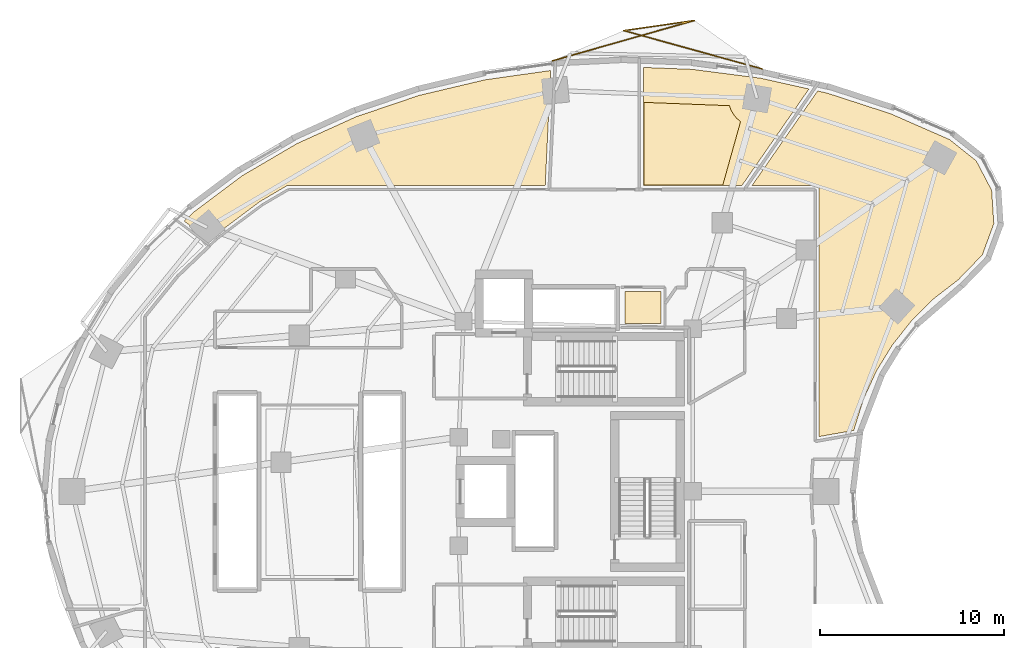
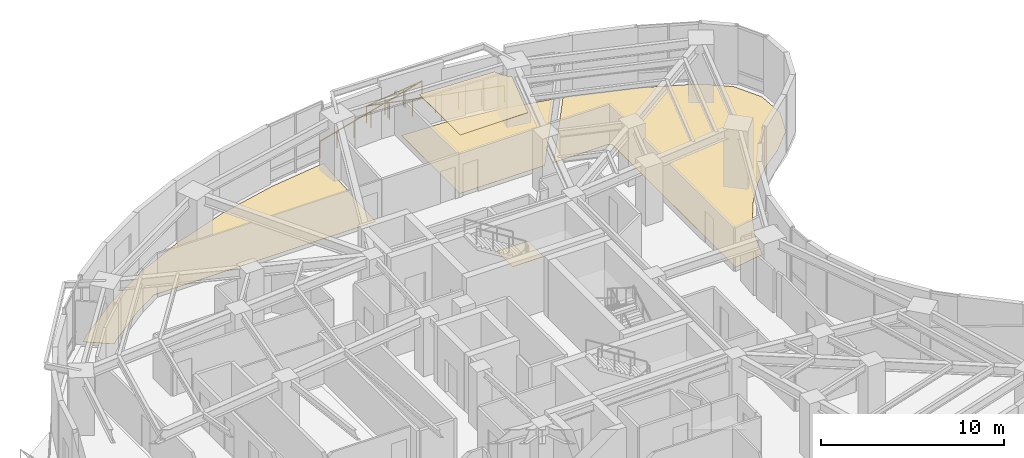
# One storey, part 15 of 15: 5 coverings, 1 railing.
"""IFC4 building model written with IfcOpenShell, lengths in metres."""

import ifcopenshell
import ifcopenshell.guid

model = None  # the IFC model being written
_history = None  # IfcOwnerHistory: only IFC2X3 demands one
_inside = {}  # id of a spatial element -> (the spatial element, [elements in it])
_under = {}  # id of a project, library or spatial element -> (it, [spatial elements below it])
_declared = {}  # id of a project -> (the project, [libraries it declares])
_typed = {}  # id of a type object -> (the type object, [elements of that type])
_made_of = {}  # id of a material, layer set ... -> (it, [elements and type objects made of it])


def new_model(schema):
    """Start an empty IFC model of exactly this schema.

    Asked for "IFC4X3", IfcOpenShell would pick the latest addendum, in which some entities
    have other attributes; the version numbers below select the first issue.
    IFC2X3 requires an IfcOwnerHistory on every rooted entity: one is made here for all.
    """
    global model, _history
    if schema == "IFC4X3":
        model = ifcopenshell.file(schema_version=(4, 3, 0, 0))
    else:
        model = ifcopenshell.file(schema=schema)
    _inside.clear()
    _under.clear()
    _declared.clear()
    _typed.clear()
    _made_of.clear()
    _history = None
    if model.schema == "IFC2X3":
        org = make("IfcOrganization", Name="unknown")
        user = make(
            "IfcPersonAndOrganization",
            ThePerson=make("IfcPerson", FamilyName="unknown"),
            TheOrganization=org,
        )
        app = make(
            "IfcApplication",
            ApplicationDeveloper=org,
            Version="unknown",
            ApplicationFullName="unknown",
            ApplicationIdentifier="unknown",
        )
        _history = make(
            "IfcOwnerHistory",
            OwningUser=user,
            OwningApplication=app,
            ChangeAction="ADDED",
            CreationDate=0,
        )
    return model


def make(cls, **values):
    """One entity of the class cls with the attributes given. An attribute that is None is left unset."""
    return model.create_entity(
        cls, **{name: value for name, value in values.items() if value is not None}
    )


def rooted(cls, **values):
    """An entity with a GlobalId (a new one), such as an element, a storey or a relation."""
    return make(cls, GlobalId=ifcopenshell.guid.new(), OwnerHistory=_history, **values)


def si_unit(unit_type, name, prefix=None):
    """IfcSIUnit, for example si_unit("LENGTHUNIT", "METRE", prefix="MILLI")."""
    return make("IfcSIUnit", UnitType=unit_type, Prefix=prefix, Name=name)


def assignment(units):
    """IfcUnitAssignment: the units of a project."""
    return None if units is None else make("IfcUnitAssignment", Units=units)


def point(xyz):
    """IfcCartesianPoint."""
    return None if xyz is None else make("IfcCartesianPoint", Coordinates=xyz)


def direction(xyz):
    """IfcDirection."""
    return None if xyz is None else make("IfcDirection", DirectionRatios=xyz)


def frame(location, z_axis=None, x_axis=None):
    """IfcAxis2Placement3D, a coordinate frame: its origin and axes. An axis left out is left unset."""
    return make(
        "IfcAxis2Placement3D",
        Location=point(location),
        Axis=direction(z_axis),
        RefDirection=direction(x_axis),
    )


def frame_2d(location, x_axis=None):
    """IfcAxis2Placement2D, a coordinate frame in the plane: its origin and x axis."""
    return make(
        "IfcAxis2Placement2D", Location=point(location), RefDirection=direction(x_axis)
    )


def origin():
    """The frame at (0, 0, 0) with its axes left unset."""
    return frame((0.0, 0.0, 0.0))


def origin_2d():
    """The frame at (0, 0) in the plane with its x axis left unset."""
    return frame_2d((0.0, 0.0))


def place(relative_to, where):
    """IfcLocalPlacement: puts the frame where relative to a parent placement (None: the world)."""
    return make(
        "IfcLocalPlacement", PlacementRelTo=relative_to, RelativePlacement=where
    )


def context(
    kind, dimensions, precision=None, world=None, true_north=None, identifier=None
):
    """IfcGeometricRepresentationContext, for example the 3D "Model" context."""
    return make(
        "IfcGeometricRepresentationContext",
        ContextIdentifier=identifier,
        ContextType=kind,
        CoordinateSpaceDimension=dimensions,
        Precision=precision,
        WorldCoordinateSystem=world,
        TrueNorth=true_north,
    )


def subcontext(parent, identifier, kind, view, scale=None):
    """IfcGeometricRepresentationSubContext, for example "Body" below "Model"."""
    return make(
        "IfcGeometricRepresentationSubContext",
        ContextIdentifier=identifier,
        ContextType=kind,
        ParentContext=parent,
        TargetScale=scale,
        TargetView=view,
    )


def project(units=None, contexts=None):
    """IfcProject with its units and contexts."""
    return rooted(
        "IfcProject",
        Name="project",
        RepresentationContexts=contexts,
        UnitsInContext=assignment(units),
    )


def spatial(cls, under=None, at=None, **own):
    """A site, building, storey or space (cls), placed at a placement, below another one or the project."""
    s = rooted(cls, ObjectPlacement=at, **own)
    if under is not None:
        _under.setdefault(under.id(), (under, []))[1].append(s)
    return s


def polyline(points):
    """IfcPolyline through the points."""
    return make("IfcPolyline", Points=[point(p) for p in points])


def profile(cls, at=None, kind="AREA", **sizes):
    """A parametric profile (cls). Its sizes go by their IFC names, for example OverallWidth=200.0."""
    return make(cls, ProfileType=kind, Position=at, **sizes)


def rectangle(**sizes):
    """IfcRectangleProfileDef."""
    return profile("IfcRectangleProfileDef", **sizes)


def outline(outer, holes=None, kind="AREA"):
    """IfcArbitraryClosedProfileDef: a profile drawn as a closed curve; with holes, ...WithVoids."""
    if holes is None:
        return make("IfcArbitraryClosedProfileDef", ProfileType=kind, OuterCurve=outer)
    return make(
        "IfcArbitraryProfileDefWithVoids",
        ProfileType=kind,
        OuterCurve=outer,
        InnerCurves=holes,
    )


def extrude(swept, where, along, depth):
    """IfcExtrudedAreaSolid: the profile swept, set in the frame where, extruded along a direction by depth."""
    return make(
        "IfcExtrudedAreaSolid",
        SweptArea=swept,
        Position=where,
        ExtrudedDirection=direction(along),
        Depth=depth,
    )


def shape(context_of_items, identifier, shape_type, items):
    """IfcShapeRepresentation: the items that make up one representation, for example the "Body"."""
    return make(
        "IfcShapeRepresentation",
        ContextOfItems=context_of_items,
        RepresentationIdentifier=identifier,
        RepresentationType=shape_type,
        Items=items,
    )


def material(Name=None, Category=None):
    """IfcMaterial."""
    return make("IfcMaterial", Name=Name, Category=Category)


def layer(
    of_material, thickness, ventilated=None, Name=None, Category=None, Priority=None
):
    """IfcMaterialLayer: one layer of a wall or slab, of a material (None: an air gap)."""
    return make(
        "IfcMaterialLayer",
        Material=of_material,
        LayerThickness=thickness,
        IsVentilated=ventilated,
        Name=Name,
        Category=Category,
        Priority=Priority,
    )


def layer_set(layers, Name=None):
    """IfcMaterialLayerSet."""
    return make("IfcMaterialLayerSet", MaterialLayers=layers, LayerSetName=Name)


def made_of(thing, what):
    """Note that an element or type object is made of a material, layer set ...; save() writes the relation."""
    if what is not None:
        _made_of.setdefault(what.id(), (what, []))[1].append(thing)
    return thing


def type_object(cls, material=None, **own):
    """A type object (cls), such as IfcWallType, which elements share."""
    return made_of(rooted(cls, **own), material)


def element(
    cls,
    number,
    at=None,
    inside=None,
    cuts=None,
    type_object=None,
    material=None,
    context=None,
    identifier="Body",
    shape_type=None,
    held_by="IfcProductDefinitionShape",
    body=None,
    shapes=None,
    **own,
):
    """One element of the class cls, such as IfcWall. Its Tag is "e" and its number.

    at: its placement. inside: the storey or other place that contains it. cuts: it is an
    opening in that element (IfcRelVoidsElement). A single representation is given by context,
    identifier, shape_type and body (its items); several are given by shapes. held_by: the class
    of the entity that holds the representations. save() writes the other relations.
    """
    e = rooted(cls, Tag="e%d" % number, ObjectPlacement=at, **own)
    if body is not None:
        shapes = [shape(context, identifier, shape_type, body)]
    if shapes is not None:
        e.Representation = make(held_by, Representations=shapes)
    if inside is not None:
        _inside.setdefault(inside.id(), (inside, []))[1].append(e)
    if cuts is not None:
        rooted(
            "IfcRelVoidsElement", RelatingBuildingElement=cuts, RelatedOpeningElement=e
        )
    if type_object is not None:
        _typed.setdefault(type_object.id(), (type_object, []))[1].append(e)
    return made_of(e, material)


def aggregate(whole, parts):
    """IfcRelAggregates: a whole, such as a stair, and the parts it consists of."""
    return rooted("IfcRelAggregates", RelatingObject=whole, RelatedObjects=parts)


def save(model, path):
    """Write the relations noted so far, then the file.

    IfcRelAggregates (storeys below a building ...), IfcRelContainedInSpatialStructure (elements
    in a storey), IfcRelDefinesByType, IfcRelAssociatesMaterial and IfcRelDeclares: one each for
    every whole, place, type object, material and project.
    """
    for whole, parts in _under.values():
        aggregate(whole, parts)
    for where, things in _inside.values():
        rooted(
            "IfcRelContainedInSpatialStructure",
            RelatedElements=things,
            RelatingStructure=where,
        )
    for kind, things in _typed.values():
        rooted("IfcRelDefinesByType", RelatedObjects=things, RelatingType=kind)
    for what, things in _made_of.values():
        rooted("IfcRelAssociatesMaterial", RelatedObjects=things, RelatingMaterial=what)
    for by, libraries in _declared.values():
        rooted("IfcRelDeclares", RelatingContext=by, RelatedDefinitions=libraries)
    model.write(path)


model = new_model("IFC4")

# Units and contexts
model_context = context("Model", 3, precision=1e-05, world=origin(), true_north=direction((0.0, 1.0)))
body_context = subcontext(model_context, "Body", "Model", "MODEL_VIEW")
ifc_project = project(units=[si_unit("LENGTHUNIT", "METRE"), si_unit("AREAUNIT", "SQUARE_METRE"), si_unit("VOLUMEUNIT", "CUBIC_METRE"), si_unit("PLANEANGLEUNIT", "RADIAN"), si_unit("MASSUNIT", "GRAM", prefix="KILO")], contexts=[model_context])

# Site, building, storey
site_placement = place(None, origin())
site = spatial("IfcSite", under=ifc_project, at=site_placement, CompositionType="ELEMENT")
building_placement = place(site_placement, origin())
building = spatial("IfcBuilding", under=site, at=building_placement, Name="Korentha Bioscience Tower", CompositionType="ELEMENT")
storey_placement = place(building_placement, frame((0.0, 0.0, 42.60009765625)))
storey = spatial("IfcBuildingStorey", under=building, at=storey_placement, Name="L09", CompositionType="ELEMENT", Elevation=42.60009765625)

# Covering
ifc_material_1 = material(Name="Vitrified Porcelain Tile", Category="ceramic")
ifc_layer_1 = layer(ifc_material_1, 0.014892578125, Name="Vitrified Porcelain Tile")
ifc_layer_set_1 = layer_set([ifc_layer_1], Name="Vitrified Porcelain Tile (FL-CER)")
covering_type_1 = type_object("IfcCoveringType", Name="Anti-Slip Ceramic Wet-Room Tile Flooring 15", PredefinedType="FLOORING", material=ifc_layer_set_1)
covering_1_placement = place(storey_placement, origin())
element("IfcCovering", 1, at=covering_1_placement, inside=storey, type_object=covering_type_1, Name="L09 Accessible Staff WC Floor Finish", PredefinedType="FLOORING", context=body_context, shape_type="SweptSolid", body=[
    extrude(outline(polyline([(33.8701171875, 36.1298828125), (33.8701171875, 37.8701171875), (35.830078125, 37.8701171875), (35.830078125, 36.1298828125), (33.8701171875, 36.1298828125)])), origin(), (0.0, 0.0, 1.0), 0.014892578125),
])

# Railing
ifc_material_2 = material(Name="Laminated Tempered Safety Glass", Category="glass")
railing_type = type_object("IfcRailingType", Name="Laminated Glass Balcony Guardrail 1150", PredefinedType="BALUSTRADE", material=ifc_material_2)
railing_placement = place(storey_placement, frame((41.33349609375, 49.9638671875, 0.0)))
element("IfcRailing", 2, at=railing_placement, inside=storey, type_object=railing_type, Name="L09 Balcony Guardrail 01", PredefinedType="BALUSTRADE", context=body_context, shape_type="SweptSolid", body=[
    extrude(rectangle(XDim=0.048095703125, YDim=0.048095703125, at=origin_2d()), frame((0.0, 0.0, 1.1259765625), z_axis=(-0.963705393493, 0.266968002864, 0.0), x_axis=(-0.266968002864, -0.963705393493, 0.0)), (0.0, 0.0, 1.0), 7.80712890625),
    extrude(rectangle(XDim=0.048095703125, YDim=0.048095703125, at=origin_2d()), frame((-7.523681640625, 2.084228515625, 1.1259765625), z_axis=(0.989867578194, 0.141993583099, 0.0), x_axis=(-0.141993583099, 0.989867578194, 0.0)), (0.0, 0.0, 1.0), 3.88232421875),
    extrude(rectangle(XDim=0.048095703125, YDim=0.048095703125, at=origin_2d()), frame((-3.6806640625, 2.635498046875, 1.1259765625), z_axis=(-0.961886221557, -0.27344998954, 0.0), x_axis=(0.27344998954, -0.961886221557, 0.0)), (0.0, 0.0, 1.0), 8.017578125),
    extrude(rectangle(XDim=0.0419921875, YDim=0.0419921875, at=origin_2d()), origin(), (0.0, 0.0, 1.0), 1.101806640625),
    extrude(rectangle(XDim=0.0419921875, YDim=0.0419921875, at=origin_2d()), frame((-1.25390625, 0.347412109375, 0.0)), (0.0, 0.0, 1.0), 1.101806640625),
    extrude(rectangle(XDim=0.0419921875, YDim=0.0419921875, at=origin_2d()), frame((-2.5078125, 0.69482421875, 0.0)), (0.0, 0.0, 1.0), 1.101806640625),
    extrude(rectangle(XDim=0.0419921875, YDim=0.0419921875, at=origin_2d()), frame((-3.76171875, 1.0419921875, 0.0)), (0.0, 0.0, 1.0), 1.101806640625),
    extrude(rectangle(XDim=0.0419921875, YDim=0.0419921875, at=origin_2d()), frame((-5.015869140625, 1.389404296875, 0.0)), (0.0, 0.0, 1.0), 1.101806640625),
    extrude(rectangle(XDim=0.0419921875, YDim=0.0419921875, at=origin_2d()), frame((-6.269775390625, 1.73681640625, 0.0)), (0.0, 0.0, 1.0), 1.101806640625),
    extrude(rectangle(XDim=0.0419921875, YDim=0.0419921875, at=origin_2d()), frame((-7.523681640625, 2.084228515625, 0.0)), (0.0, 0.0, 1.0), 1.101806640625),
    extrude(rectangle(XDim=0.0419921875, YDim=0.0419921875, at=origin_2d()), frame((-6.24267578125, 2.26806640625, 0.0)), (0.0, 0.0, 1.0), 1.101806640625),
    extrude(rectangle(XDim=0.0419921875, YDim=0.0419921875, at=origin_2d()), frame((-4.961669921875, 2.45166015625, 0.0)), (0.0, 0.0, 1.0), 1.101806640625),
    extrude(rectangle(XDim=0.0419921875, YDim=0.0419921875, at=origin_2d()), frame((-3.6806640625, 2.635498046875, 0.0)), (0.0, 0.0, 1.0), 1.101806640625),
    extrude(rectangle(XDim=0.0419921875, YDim=0.0419921875, at=origin_2d()), frame((-4.966064453125, 2.27001953125, 0.0)), (0.0, 0.0, 1.0), 1.101806640625),
    extrude(rectangle(XDim=0.0419921875, YDim=0.0419921875, at=origin_2d()), frame((-6.251220703125, 1.90478515625, 0.0)), (0.0, 0.0, 1.0), 1.101806640625),
    extrude(rectangle(XDim=0.0419921875, YDim=0.0419921875, at=origin_2d()), frame((-7.53662109375, 1.539306640625, 0.0)), (0.0, 0.0, 1.0), 1.101806640625),
    extrude(rectangle(XDim=0.0419921875, YDim=0.0419921875, at=origin_2d()), frame((-8.822021484375, 1.173828125, 0.0)), (0.0, 0.0, 1.0), 1.101806640625),
    extrude(rectangle(XDim=0.0419921875, YDim=0.0419921875, at=origin_2d()), frame((-10.107177734375, 0.80859375, 0.0)), (0.0, 0.0, 1.0), 1.101806640625),
    extrude(rectangle(XDim=0.0419921875, YDim=0.0419921875, at=origin_2d()), frame((-11.392578125, 0.443115234375, 0.0)), (0.0, 0.0, 1.0), 1.101806640625),
])

# Coverings
ifc_material_3 = material(Name="Antimicrobial Mineral Fibre Board", Category="gypsum")
ifc_layer_2 = layer(ifc_material_3, 0.034912109375, Name="Antimicrobial Mineral Fibre Board")
ifc_layer_set_2 = layer_set([ifc_layer_2], Name="Antimicrobial Mineral Fibre Board (CL-MF35)")
covering_type_2 = type_object("IfcCoveringType", Name="Mineral-Fibre Cleanroom Suspended Ceiling 35", PredefinedType="CEILING", material=ifc_layer_set_2)
covering_2_placement = place(storey_placement, frame((0.0, 0.0, 3.864990234375)))
element("IfcCovering", 3, at=covering_2_placement, inside=storey, type_object=covering_type_2, Name="L09 Incubator and Bioreactor Suite 11 Acoustic Ceiling", PredefinedType="CEILING", context=body_context, shape_type="SweptSolid", body=[
    extrude(outline(polyline([(34.902099609375, 48.146484375), (39.556884765625, 47.965576171875), (39.62060546875, 47.7734375), (39.763671875, 47.505615234375), (39.95654296875, 47.270751953125), (40.15869140625, 47.102294921875), (39.19677734375, 43.66455078125), (34.902099609375, 43.660400390625), (34.902099609375, 48.146484375)])), origin(), (0.0, 0.0, 1.0), 0.034912109375),
])
ifc_material_4 = material(Name="Chemical-Resistant Epoxy Resin", Category="polymer")
ifc_layer_3 = layer(ifc_material_4, 0.011962890625, Name="Chemical-Resistant Epoxy Resin")
ifc_layer_set_3 = layer_set([ifc_layer_3], Name="Chemical-Resistant Epoxy Resin (FL-EPX)")
covering_type_3 = type_object("IfcCoveringType", Name="Seamless Epoxy Laboratory Flooring 12", PredefinedType="FLOORING", material=ifc_layer_set_3)
covering_3_placement = place(storey_placement, origin())
element("IfcCovering", 4, at=covering_3_placement, inside=storey, type_object=covering_type_3, Name="L09 Airlock Gowning Anteroom 09 Floor Finish", PredefinedType="FLOORING", context=body_context, shape_type="SweptSolid", body=[
    extrude(outline(polyline([(44.857177734375, 48.65283203125), (48.31005859375, 47.52978515625), (51.5166015625, 46.125), (52.96630859375, 44.970458984375), (53.805419921875, 43.364501953125), (53.922607421875, 41.556396484375), (53.297607421875, 39.855712890625), (51.98876953125, 38.503173828125), (50.68212890625, 37.497314453125), (49.501708984375, 36.337646484375), (48.412353515625, 34.969482421875), (47.544189453125, 33.552490234375), (46.8427734375, 32.01904296875), (46.30908203125, 30.318115234375), (44.429931640625, 29.982666015625), (44.423095703125, 43.456298828125), (44.385009765625, 43.53662109375), (44.33740234375, 43.58447265625), (44.210693359375, 43.629638671875), (40.783447265625, 43.6298828125), (44.347900390625, 48.766845703125), (44.857177734375, 48.65283203125)])), origin(), (0.0, 0.0, 1.0), 0.011962890625),
])
covering_4_placement = place(storey_placement, origin())
element("IfcCovering", 5, at=covering_4_placement, inside=storey, type_object=covering_type_3, Name="L09 Incubator and Bioreactor Suite 11 Floor Finish", PredefinedType="FLOORING", context=body_context, shape_type="SweptSolid", body=[
    extrude(outline(polyline([(43.873779296875, 48.872802734375), (40.23974609375, 43.635498046875), (34.8720703125, 43.630126953125), (34.8720703125, 50.04541015625), (37.526611328125, 49.942138671875), (41.2451171875, 49.461181640625), (43.873779296875, 48.872802734375)])), origin(), (0.0, 0.0, 1.0), 0.011962890625),
])
covering_5_placement = place(storey_placement, origin())
element("IfcCovering", 6, at=covering_5_placement, inside=storey, type_object=covering_type_3, Name="L09 Biostatistics Research Office 13 Floor Finish", PredefinedType="FLOORING", context=body_context, shape_type="SweptSolid", body=[
    extrude(outline(polyline([(10.451904296875, 42.1962890625), (13.09619140625, 44.173828125), (16.0458984375, 45.90478515625), (19.25830078125, 47.36279296875), (22.68701171875, 48.525390625), (26.28173828125, 49.375), (29.84130859375, 49.8779296875), (29.5419921875, 43.630615234375), (15.5537109375, 43.626953125), (15.474365234375, 43.598388671875), (14.0380859375, 42.7548828125), (11.5625, 40.904052734375), (11.297607421875, 40.653564453125), (9.924072265625, 41.69287109375), (10.451904296875, 42.1962890625)])), origin(), (0.0, 0.0, 1.0), 0.011962890625),
])

save(model, "model.ifc")
